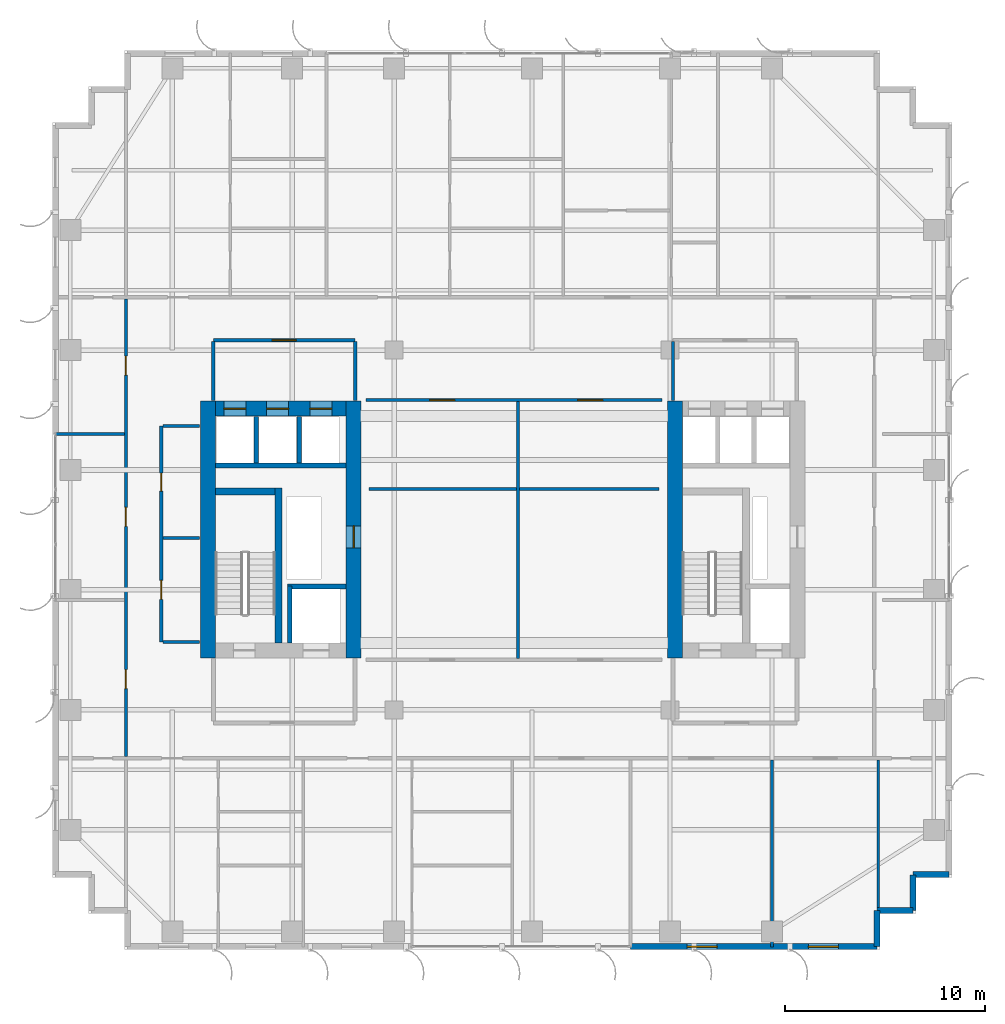
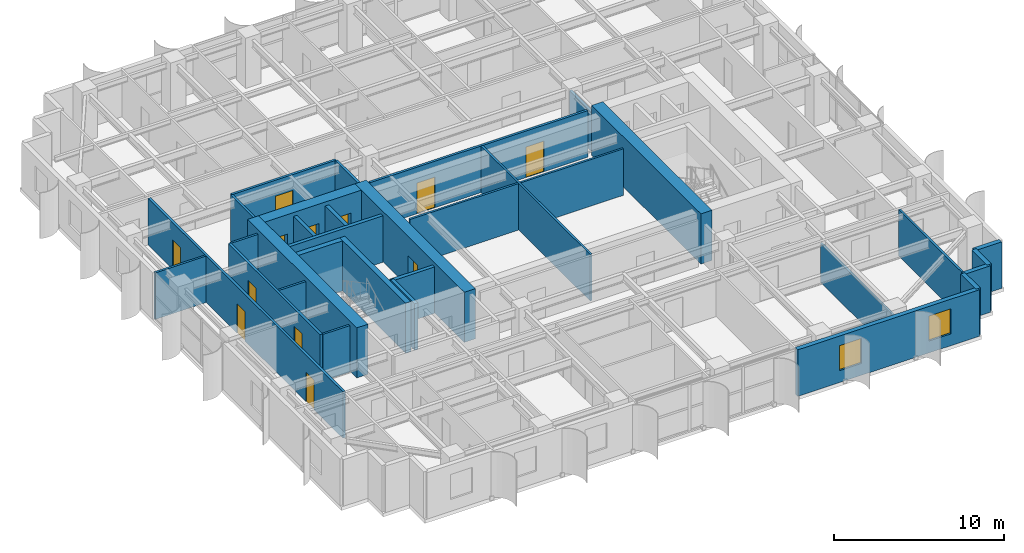
# One storey, part 15 of 21: 31 walls, 12 doors, 2 windows, 14 openings.
"""IFC4 building model written with IfcOpenShell, lengths in metres."""

from ifc_helpers import new_model, si_unit, direction, frame, frame_2d, origin, place, context, subcontext, project, spatial, rectangle, extrude, source, transform, mapped, material, layer, layer_set, type_object, element, fill, save


model = new_model("IFC4")

# Units and contexts
model_context = context("Model", 3, precision=1e-05, world=origin(), true_north=direction((0.0, 1.0)))
body_context = subcontext(model_context, "Body", "Model", "MODEL_VIEW")
ifc_project = project(units=[si_unit("LENGTHUNIT", "METRE"), si_unit("AREAUNIT", "SQUARE_METRE"), si_unit("VOLUMEUNIT", "CUBIC_METRE"), si_unit("PLANEANGLEUNIT", "RADIAN"), si_unit("MASSUNIT", "GRAM", prefix="KILO")], contexts=[model_context])

# Site, building, storey
site_placement = place(None, origin())
site = spatial("IfcSite", under=ifc_project, at=site_placement, CompositionType="ELEMENT")
building_placement = place(site_placement, origin())
building = spatial("IfcBuilding", under=site, at=building_placement, Name="Khoralis Quay Care Tower", CompositionType="ELEMENT")
storey_placement = place(building_placement, frame((0.0, 0.0, 112.5)))
storey = spatial("IfcBuildingStorey", under=building, at=storey_placement, Name="L29", CompositionType="ELEMENT", Elevation=112.5)

# Wall
ifc_material_1 = material(Name="Concrete C80/95", Category="concrete")
ifc_layer_1 = layer(ifc_material_1, 0.75)
ifc_layer_set_1 = layer_set([ifc_layer_1], Name="Concrete C80/95")
wall_type_1 = type_object("IfcWallType", Name="WL-CORE-750", PredefinedType="SHEAR", material=ifc_layer_set_1)
wall_1_placement = place(storey_placement, frame((7.77490234375, 14.60009765625, 0.0), z_axis=(0.0, 0.0, 1.0), x_axis=(0.0, 1.0, 0.0)))
element("IfcWall", 1, at=wall_1_placement, inside=storey, type_object=wall_type_1, Name="L29 WCORE West Shear Wall", PredefinedType="SHEAR", context=body_context, shape_type="SweptSolid", body=[
    extrude(rectangle(XDim=12.849853515625, YDim=0.75, at=frame_2d((6.4248046875, 0.0))), origin(), (0.0, 0.0, 1.0), 3.60009765625),
])

# Wall, opening, door
wall_2_placement = place(storey_placement, frame((15.074951171875, 14.60009765625, 0.0), z_axis=(0.0, 0.0, 1.0), x_axis=(0.0, 1.0, 0.0)))
wall_2 = element("IfcWall", 2, at=wall_2_placement, inside=storey, type_object=wall_type_1, Name="L29 WCORE East Shear Wall", PredefinedType="SHEAR", context=body_context, shape_type="SweptSolid", body=[
    extrude(rectangle(XDim=12.849853515625, YDim=0.75, at=frame_2d((6.4248046875, 0.0))), origin(), (0.0, 0.0, 1.0), 3.60009765625),
])
opening_1_placement = place(wall_2_placement, frame((5.5, 0.0, 0.0)))
opening_1 = element("IfcOpeningElement", 3, at=opening_1_placement, cuts=wall_2, Name="Opening SD1", PredefinedType="OPENING", context=body_context, shape_type="SweptSolid", body=[
    extrude(rectangle(XDim=1.10009765625, YDim=2.199951171875, at=frame_2d((0.550048828125, 1.10009765625))), frame((0.0, 0.385009765625, 0.0), z_axis=(0.0, -1.0, 0.0), x_axis=(1.0, 0.0, 0.0)), (0.0, 0.0, 1.0), 0.77001953125),
])
ifc_material_2 = material(Name="Fire-rated painted steel", Category="steel")
door_type_1 = type_object("IfcDoorType", Name="DR-STAIR-1100X2200", OperationType="NOTDEFINED", PredefinedType="DOOR", material=ifc_material_2)
shared_shape_1 = source(origin(), body_context, "Body", "SweptSolid", [
    extrude(rectangle(XDim=1.10009765625, YDim=2.199951171875, at=frame_2d((0.550048828125, 1.10009765625))), frame((0.0, 0.02490234375, 0.0), z_axis=(0.0, -1.0, 0.0), x_axis=(1.0, 0.0, 0.0)), (0.0, 0.0, 1.0), 0.050048828125),
])
door_1_placement = place(opening_1_placement, origin())
door_1 = element("IfcDoor", 4, at=door_1_placement, inside=storey, type_object=door_type_1, Name="L29 West MEP Riser Door", OperationType="SINGLE_SWING_LEFT", OverallHeight=2.199951171875, OverallWidth=1.10009765625, PredefinedType="DOOR", context=body_context, shape_type="MappedRepresentation", body=[
    mapped(shared_shape_1, transform((0.0, 0.0, 0.0), scale=1.0)),
])
fill(opening_1, door_1)

# Wall, openings, doors
wall_3_placement = place(storey_placement, frame((8.14990234375, 27.074951171875, 0.0), z_axis=(0.0, 0.0, 1.0), x_axis=(1.0, 0.0, 0.0)))
wall_3 = element("IfcWall", 5, at=wall_3_placement, inside=storey, type_object=wall_type_1, Name="L29 WCORE North Shear Wall", PredefinedType="SHEAR", context=body_context, shape_type="SweptSolid", body=[
    extrude(rectangle(XDim=6.550048828125, YDim=0.75, at=frame_2d((3.27490234375, 0.0))), origin(), (0.0, 0.0, 1.0), 3.60009765625),
])
opening_2_placement = place(wall_3_placement, frame((0.429931640625, 0.0, 0.0)))
opening_2 = element("IfcOpeningElement", 6, at=opening_2_placement, cuts=wall_3, Name="Opening LD1", PredefinedType="OPENING", context=body_context, shape_type="SweptSolid", body=[
    extrude(rectangle(XDim=1.10009765625, YDim=2.199951171875, at=frame_2d((0.550048828125, 1.10009765625))), frame((0.0, 0.385009765625, 0.0), z_axis=(0.0, -1.0, 0.0), x_axis=(1.0, 0.0, 0.0)), (0.0, 0.0, 1.0), 0.77001953125),
])
opening_3_placement = place(wall_3_placement, frame((2.570068359375, 0.0, 0.0)))
opening_3 = element("IfcOpeningElement", 7, at=opening_3_placement, cuts=wall_3, Name="Opening LD1", PredefinedType="OPENING", context=body_context, shape_type="SweptSolid", body=[
    extrude(rectangle(XDim=1.10009765625, YDim=2.199951171875, at=frame_2d((0.550048828125, 1.10009765625))), frame((0.0, 0.385009765625, 0.0), z_axis=(0.0, -1.0, 0.0), x_axis=(1.0, 0.0, 0.0)), (0.0, 0.0, 1.0), 0.77001953125),
])
opening_4_placement = place(wall_3_placement, frame((4.72998046875, 0.0, 0.0)))
opening_4 = element("IfcOpeningElement", 8, at=opening_4_placement, cuts=wall_3, Name="Opening LD1", PredefinedType="OPENING", context=body_context, shape_type="SweptSolid", body=[
    extrude(rectangle(XDim=1.10009765625, YDim=2.199951171875, at=frame_2d((0.550048828125, 1.10009765625))), frame((0.0, 0.385009765625, 0.0), z_axis=(0.0, -1.0, 0.0), x_axis=(1.0, 0.0, 0.0)), (0.0, 0.0, 1.0), 0.77001953125),
])
ifc_material_3 = material(Name="Brushed stainless steel", Category="steel")
door_type_2 = type_object("IfcDoorType", Name="DR-LIFT-1100X2200", OperationType="SLIDING_TO_LEFT", PredefinedType="DOOR", material=ifc_material_3)
shared_shape_2 = source(origin(), body_context, "Body", "SweptSolid", [
    extrude(rectangle(XDim=1.10009765625, YDim=2.199951171875, at=frame_2d((0.550048828125, 1.10009765625))), frame((0.0, 0.02490234375, 0.0), z_axis=(0.0, -1.0, 0.0), x_axis=(1.0, 0.0, 0.0)), (0.0, 0.0, 1.0), 0.050048828125),
])
door_2_placement = place(opening_2_placement, origin())
door_2 = element("IfcDoor", 9, at=door_2_placement, inside=storey, type_object=door_type_2, Name="L29 Lift PLL1 Landing Door", OperationType="SLIDING_TO_LEFT", OverallHeight=2.199951171875, OverallWidth=1.10009765625, PredefinedType="DOOR", context=body_context, shape_type="MappedRepresentation", body=[
    mapped(shared_shape_2, transform((0.0, 0.0, 0.0), scale=1.0)),
])
fill(opening_2, door_2)
door_3_placement = place(opening_3_placement, origin())
door_3 = element("IfcDoor", 10, at=door_3_placement, inside=storey, type_object=door_type_2, Name="L29 Lift PLM1 Landing Door", OperationType="SLIDING_TO_LEFT", OverallHeight=2.199951171875, OverallWidth=1.10009765625, PredefinedType="DOOR", context=body_context, shape_type="MappedRepresentation", body=[
    mapped(shared_shape_2, transform((0.0, 0.0, 0.0), scale=1.0)),
])
fill(opening_3, door_3)
door_4_placement = place(opening_4_placement, origin())
door_4 = element("IfcDoor", 11, at=door_4_placement, inside=storey, type_object=door_type_2, Name="L29 Lift PLH1 Landing Door", OperationType="SLIDING_TO_LEFT", OverallHeight=2.199951171875, OverallWidth=1.10009765625, PredefinedType="DOOR", context=body_context, shape_type="MappedRepresentation", body=[
    mapped(shared_shape_2, transform((0.0, 0.0, 0.0), scale=1.0)),
])
fill(opening_4, door_4)

# Wall
wall_4_placement = place(storey_placement, frame((31.14501953125, 14.60009765625, 0.0), z_axis=(0.0, 0.0, 1.0), x_axis=(0.0, 1.0, 0.0)))
element("IfcWall", 12, at=wall_4_placement, inside=storey, type_object=wall_type_1, Name="L29 ECORE West Shear Wall", PredefinedType="SHEAR", context=body_context, shape_type="SweptSolid", body=[
    extrude(rectangle(XDim=12.849853515625, YDim=0.75, at=frame_2d((6.4248046875, 0.0))), origin(), (0.0, 0.0, 1.0), 3.60009765625),
])

# Wall, opening, door
ifc_material_4 = material(Name="Gypsum plasterboard on acoustic metal stud")
ifc_layer_2 = layer(ifc_material_4, 0.1650390625)
ifc_layer_set_2 = layer_set([ifc_layer_2], Name="Gypsum plasterboard on acoustic metal stud")
wall_type_2 = type_object("IfcWallType", Name="WL-CORR-165", PredefinedType="PARTITIONING", material=ifc_layer_set_2)
wall_5_placement = place(storey_placement, frame((8.050048828125, 30.5, 0.0), z_axis=(0.0, 0.0, 1.0), x_axis=(1.0, 0.0, 0.0)))
wall_5 = element("IfcWall", 13, at=wall_5_placement, inside=storey, type_object=wall_type_2, Name="L29 West Lift Lobby North Wall", PredefinedType="PARTITIONING", context=body_context, shape_type="SweptSolid", body=[
    extrude(rectangle(XDim=7.099853515625, YDim=0.1650390625, at=frame_2d((3.5498046875, 0.0))), origin(), (0.0, 0.0, 1.0), 3.340087890625),
])
opening_5_placement = place(wall_5_placement, frame((2.949951171875, 0.0, 0.0)))
opening_5 = element("IfcOpeningElement", 14, at=opening_5_placement, cuts=wall_5, Name="Opening FD1", PredefinedType="OPENING", context=body_context, shape_type="SweptSolid", body=[
    extrude(rectangle(XDim=1.199951171875, YDim=2.199951171875, at=frame_2d((0.60009765625, 1.10009765625))), frame((0.0, 0.092529296875, 0.0), z_axis=(0.0, -1.0, 0.0), x_axis=(1.0, 0.0, 0.0)), (0.0, 0.0, 1.0), 0.18505859375),
])
door_type_3 = type_object("IfcDoorType", Name="DR-FFL-1200X2200", OperationType="NOTDEFINED", PredefinedType="DOOR", material=ifc_material_2)
shared_shape_3 = source(origin(), body_context, "Body", "SweptSolid", [
    extrude(rectangle(XDim=1.199951171875, YDim=2.199951171875, at=frame_2d((0.60009765625, 1.10009765625))), frame((0.0, 0.02490234375, 0.0), z_axis=(0.0, -1.0, 0.0), x_axis=(1.0, 0.0, 0.0)), (0.0, 0.0, 1.0), 0.050048828125),
])
door_5_placement = place(opening_5_placement, origin())
door_5 = element("IfcDoor", 15, at=door_5_placement, inside=storey, type_object=door_type_3, Name="L29 West Lift Lobby Double Door", OperationType="DOUBLE_DOOR_SINGLE_SWING", OverallHeight=2.199951171875, OverallWidth=1.199951171875, PredefinedType="DOOR", context=body_context, shape_type="MappedRepresentation", body=[
    mapped(shared_shape_3, transform((0.0, 0.0, 0.0), scale=1.0)),
])
fill(opening_5, door_5)

# Walls
for number, where, z_axis, x_axis, name in (
    (16, (8.050048828125, 27.469970703125, 0.0), (0.0, 0.0, 1.0), (0.0, 1.0, 0.0), "L29 West Lift Lobby West Wall"),
    (17, (15.14990234375, 27.469970703125, 0.0), (0.0, 0.0, 1.0), (0.0, 1.0, 0.0), "L29 West Lift Lobby East Wall"),
):
    element("IfcWall", number, at=place(storey_placement, frame(where, z_axis=z_axis, x_axis=x_axis)), inside=storey, type_object=wall_type_2, Name=name, PredefinedType="PARTITIONING", context=body_context, shape_type="SweptSolid", body=[
        extrude(rectangle(XDim=2.95263671875, YDim=0.1650390625, at=frame_2d((1.476318359375, 0.0))), origin(), (0.0, 0.0, 1.0), 3.340087890625),
    ])
wall_6_placement = place(storey_placement, frame((31.050048828125, 27.469970703125, 0.0), z_axis=(0.0, 0.0, 1.0), x_axis=(0.0, 1.0, 0.0)))
element("IfcWall", 18, at=wall_6_placement, inside=storey, type_object=wall_type_2, Name="L29 East Lift Lobby West Wall", PredefinedType="PARTITIONING", context=body_context, shape_type="SweptSolid", body=[
    extrude(rectangle(XDim=2.95263671875, YDim=0.1650390625, at=frame_2d((1.476318359375, 0.0))), origin(), (0.0, 0.0, 1.0), 2.7958984375),
])

# Wall, openings, doors
wall_7_placement = place(storey_placement, frame((5.449951171875, 15.39990234375, 0.0), z_axis=(0.0, 0.0, 1.0), x_axis=(0.0, 1.0, 0.0)))
wall_7 = element("IfcWall", 19, at=wall_7_placement, inside=storey, type_object=wall_type_2, Name="L29 West Core Service Flank Wall", PredefinedType="PARTITIONING", context=body_context, shape_type="SweptSolid", body=[
    extrude(rectangle(XDim=10.800048828125, YDim=0.1650390625, at=frame_2d((5.39990234375, 0.0))), origin(), (0.0, 0.0, 1.0), 3.340087890625),
])
opening_6_placement = place(wall_7_placement, frame((2.125, 0.0, 0.0)))
opening_6 = element("IfcOpeningElement", 20, at=opening_6_placement, cuts=wall_7, Name="Opening ID1", PredefinedType="OPENING", context=body_context, shape_type="SweptSolid", body=[
    extrude(rectangle(XDim=0.949951171875, YDim=2.10009765625, at=frame_2d((0.47509765625, 1.050048828125))), frame((0.0, 0.092529296875, 0.0), z_axis=(0.0, -1.0, 0.0), x_axis=(1.0, 0.0, 0.0)), (0.0, 0.0, 1.0), 0.18505859375),
])
opening_7_placement = place(wall_7_placement, frame((7.550048828125, 0.0, 0.0)))
opening_7 = element("IfcOpeningElement", 21, at=opening_7_placement, cuts=wall_7, Name="Opening WD1", PredefinedType="OPENING", context=body_context, shape_type="SweptSolid", body=[
    extrude(rectangle(XDim=0.89990234375, YDim=2.10009765625, at=frame_2d((0.449951171875, 1.050048828125))), frame((0.0, 0.092529296875, 0.0), z_axis=(0.0, -1.0, 0.0), x_axis=(1.0, 0.0, 0.0)), (0.0, 0.0, 1.0), 0.18505859375),
])
ifc_material_5 = material(Name="Acoustic hardwood timber", Category="wood")
door_type_4 = type_object("IfcDoorType", Name="DR-BATH-900X2100", OperationType="NOTDEFINED", PredefinedType="DOOR", material=ifc_material_5)
shared_shape_4 = source(origin(), body_context, "Body", "SweptSolid", [
    extrude(rectangle(XDim=0.89990234375, YDim=2.10009765625, at=frame_2d((0.449951171875, 1.050048828125))), frame((0.0, 0.02490234375, 0.0), z_axis=(0.0, -1.0, 0.0), x_axis=(1.0, 0.0, 0.0)), (0.0, 0.0, 1.0), 0.050048828125),
])
door_6_placement = place(opening_7_placement, frame((0.89990234375, 0.0, 0.0), z_axis=(0.0, 0.0, 1.0), x_axis=(-1.0, 0.0, 0.0)))
door_6 = element("IfcDoor", 22, at=door_6_placement, inside=storey, type_object=door_type_4, Name="L29 Public Accessible WC Door", OperationType="SINGLE_SWING_LEFT", OverallHeight=2.10009765625, OverallWidth=0.89990234375, PredefinedType="DOOR", context=body_context, shape_type="MappedRepresentation", body=[
    mapped(shared_shape_4, transform((0.0, 0.0, 0.0), scale=1.0)),
])
fill(opening_7, door_6)
door_type_5 = type_object("IfcDoorType", Name="DR-ROOM-950X2100", OperationType="NOTDEFINED", PredefinedType="DOOR", material=ifc_material_5)
shared_shape_5 = source(origin(), body_context, "Body", "SweptSolid", [
    extrude(rectangle(XDim=0.949951171875, YDim=2.10009765625, at=frame_2d((0.47509765625, 1.050048828125))), frame((0.0, 0.02490234375, 0.0), z_axis=(0.0, -1.0, 0.0), x_axis=(1.0, 0.0, 0.0)), (0.0, 0.0, 1.0), 0.050048828125),
])
door_7_placement = place(opening_6_placement, frame((0.949951171875, 0.0, 0.0), z_axis=(0.0, 0.0, 1.0), x_axis=(-1.0, 0.0, 0.0)))
door_7 = element("IfcDoor", 23, at=door_7_placement, inside=storey, type_object=door_type_5, Name="L29 Housekeeping Linen Store Door", OperationType="SINGLE_SWING_RIGHT", OverallHeight=2.10009765625, OverallWidth=0.949951171875, PredefinedType="DOOR", context=body_context, shape_type="MappedRepresentation", body=[
    mapped(shared_shape_5, transform((0.0, 0.0, 0.0), scale=1.0)),
])
fill(opening_6, door_7)

wall_8_placement = place(storey_placement, frame((3.679931640625, 9.657470703125, 0.0), z_axis=(0.0, 0.0, 1.0), x_axis=(0.0, 1.0, 0.0)))
wall_8 = element("IfcWall", 24, at=wall_8_placement, inside=storey, type_object=wall_type_2, Name="L29 West Loop Corridor Wall", PredefinedType="PARTITIONING", context=body_context, shape_type="SweptSolid", body=[
    extrude(rectangle(XDim=22.905029296875, YDim=0.1650390625, at=frame_2d((11.45263671875, 0.0))), origin(), (0.0, 0.0, 1.0), 3.340087890625),
])
opening_8_placement = place(wall_8_placement, frame((3.407470703125, 0.0, 0.0)))
opening_8 = element("IfcOpeningElement", 25, at=opening_8_placement, cuts=wall_8, Name="Opening ID1", PredefinedType="OPENING", context=body_context, shape_type="SweptSolid", body=[
    extrude(rectangle(XDim=0.949951171875, YDim=2.10009765625, at=frame_2d((0.47509765625, 1.050048828125))), frame((0.0, 0.092529296875, 0.0), z_axis=(0.0, -1.0, 0.0), x_axis=(1.0, 0.0, 0.0)), (0.0, 0.0, 1.0), 0.18505859375),
])
opening_9_placement = place(wall_8_placement, frame((11.517578125, 0.0, 0.0)))
opening_9 = element("IfcOpeningElement", 26, at=opening_9_placement, cuts=wall_8, Name="Opening ID1", PredefinedType="OPENING", context=body_context, shape_type="SweptSolid", body=[
    extrude(rectangle(XDim=0.949951171875, YDim=2.10009765625, at=frame_2d((0.47509765625, 1.050048828125))), frame((0.0, 0.092529296875, 0.0), z_axis=(0.0, -1.0, 0.0), x_axis=(1.0, 0.0, 0.0)), (0.0, 0.0, 1.0), 0.18505859375),
])
opening_10_placement = place(wall_8_placement, frame((19.08740234375, 0.0, 0.0)))
opening_10 = element("IfcOpeningElement", 27, at=opening_10_placement, cuts=wall_8, Name="Opening ID1", PredefinedType="OPENING", context=body_context, shape_type="SweptSolid", body=[
    extrude(rectangle(XDim=0.949951171875, YDim=2.10009765625, at=frame_2d((0.47509765625, 1.050048828125))), frame((0.0, 0.092529296875, 0.0), z_axis=(0.0, -1.0, 0.0), x_axis=(1.0, 0.0, 0.0)), (0.0, 0.0, 1.0), 0.18505859375),
])
door_8_placement = place(opening_8_placement, origin())
door_8 = element("IfcDoor", 28, at=door_8_placement, inside=storey, type_object=door_type_5, Name="L29 Therapy Consultation Room Door", OperationType="SINGLE_SWING_LEFT", OverallHeight=2.10009765625, OverallWidth=0.949951171875, PredefinedType="DOOR", context=body_context, shape_type="MappedRepresentation", body=[
    mapped(shared_shape_5, transform((0.0, 0.0, 0.0), scale=1.0)),
])
fill(opening_8, door_8)
door_9_placement = place(opening_9_placement, origin())
door_9 = element("IfcDoor", 29, at=door_9_placement, inside=storey, type_object=door_type_5, Name="L29 Assisted Activity Lounge Door", OperationType="SINGLE_SWING_RIGHT", OverallHeight=2.10009765625, OverallWidth=0.949951171875, PredefinedType="DOOR", context=body_context, shape_type="MappedRepresentation", body=[
    mapped(shared_shape_5, transform((0.0, 0.0, 0.0), scale=1.0)),
])
fill(opening_9, door_9)
door_10_placement = place(opening_10_placement, origin())
door_10 = element("IfcDoor", 30, at=door_10_placement, inside=storey, type_object=door_type_5, Name="L29 Nurse Charting Office Door", OperationType="SINGLE_SWING_LEFT", OverallHeight=2.10009765625, OverallWidth=0.949951171875, PredefinedType="DOOR", context=body_context, shape_type="MappedRepresentation", body=[
    mapped(shared_shape_5, transform((0.0, 0.0, 0.0), scale=1.0)),
])
fill(opening_10, door_10)

wall_9_placement = place(storey_placement, frame((15.699951171875, 27.5, 0.0), z_axis=(0.0, 0.0, 1.0), x_axis=(1.0, 0.0, 0.0)))
wall_9 = element("IfcWall", 31, at=wall_9_placement, inside=storey, type_object=wall_type_2, Name="L29 Central Clinical North Wall", PredefinedType="PARTITIONING", context=body_context, shape_type="SweptSolid", body=[
    extrude(rectangle(XDim=14.800048828125, YDim=0.1650390625, at=frame_2d((7.39990234375, 0.0))), origin(), (0.0, 0.0, 1.0), 3.340087890625),
])
opening_11_placement = place(wall_9_placement, frame((3.175048828125, 0.0, 0.0)))
opening_11 = element("IfcOpeningElement", 32, at=opening_11_placement, cuts=wall_9, Name="Opening CD1", PredefinedType="OPENING", context=body_context, shape_type="SweptSolid", body=[
    extrude(rectangle(XDim=1.25, YDim=2.199951171875, at=frame_2d((0.625, 1.10009765625))), frame((0.0, 0.092529296875, 0.0), z_axis=(0.0, -1.0, 0.0), x_axis=(1.0, 0.0, 0.0)), (0.0, 0.0, 1.0), 0.18505859375),
])
opening_12_placement = place(wall_9_placement, frame((10.574951171875, 0.0, 0.0)))
opening_12 = element("IfcOpeningElement", 33, at=opening_12_placement, cuts=wall_9, Name="Opening CD1", PredefinedType="OPENING", context=body_context, shape_type="SweptSolid", body=[
    extrude(rectangle(XDim=1.25, YDim=2.199951171875, at=frame_2d((0.625, 1.10009765625))), frame((0.0, 0.092529296875, 0.0), z_axis=(0.0, -1.0, 0.0), x_axis=(1.0, 0.0, 0.0)), (0.0, 0.0, 1.0), 0.18505859375),
])
door_type_6 = type_object("IfcDoorType", Name="DR-CARE-1250X2200", OperationType="NOTDEFINED", PredefinedType="DOOR", material=ifc_material_5)
shared_shape_6 = source(origin(), body_context, "Body", "SweptSolid", [
    extrude(rectangle(XDim=1.25, YDim=2.199951171875, at=frame_2d((0.625, 1.10009765625))), frame((0.0, 0.02490234375, 0.0), z_axis=(0.0, -1.0, 0.0), x_axis=(1.0, 0.0, 0.0)), (0.0, 0.0, 1.0), 0.050048828125),
])
door_11_placement = place(opening_11_placement, frame((1.25, 0.0, 0.0), z_axis=(0.0, 0.0, 1.0), x_axis=(-1.0, 0.0, 0.0)))
door_11 = element("IfcDoor", 34, at=door_11_placement, inside=storey, type_object=door_type_6, Name="L29 Library Lounge Door", OperationType="SINGLE_SWING_LEFT", OverallHeight=2.199951171875, OverallWidth=1.25, PredefinedType="DOOR", context=body_context, shape_type="MappedRepresentation", body=[
    mapped(shared_shape_6, transform((0.0, 0.0, 0.0), scale=1.0)),
])
fill(opening_11, door_11)
door_12_placement = place(opening_12_placement, frame((1.25, 0.0, 0.0), z_axis=(0.0, 0.0, 1.0), x_axis=(-1.0, 0.0, 0.0)))
door_12 = element("IfcDoor", 35, at=door_12_placement, inside=storey, type_object=door_type_6, Name="L29 Occupational Therapy Door", OperationType="SINGLE_SWING_RIGHT", OverallHeight=2.199951171875, OverallWidth=1.25, PredefinedType="DOOR", context=body_context, shape_type="MappedRepresentation", body=[
    mapped(shared_shape_6, transform((0.0, 0.0, 0.0), scale=1.0)),
])
fill(opening_12, door_12)

# Wall, openings, windows
ifc_material_6 = material(Name="Precast concrete C45/55", Category="concrete")
ifc_layer_3 = layer(ifc_material_6, 0.300048828125)
ifc_layer_set_3 = layer_set([ifc_layer_3], Name="Precast concrete C45/55")
wall_type_3 = type_object("IfcWallType", Name="WL-EXT-REF-300", PredefinedType="SOLIDWALL", material=ifc_layer_set_3)
wall_10_placement = place(storey_placement, frame((28.919921875, 0.14990234375, 0.0), z_axis=(0.0, 0.0, 1.0), x_axis=(1.0, 0.0, 0.0)))
wall_10 = element("IfcWall", 36, at=wall_10_placement, inside=storey, type_object=wall_type_3, Name="L29 External Facade Wall WL-EXT-L29-P1-E0B", PredefinedType="SOLIDWALL", context=body_context, shape_type="SweptSolid", body=[
    extrude(rectangle(XDim=12.330078125, YDim=0.300048828125, at=frame_2d((6.1650390625, 0.0))), origin(), (0.0, 0.0, 1.0), 3.340087890625),
])
opening_13_placement = place(wall_10_placement, frame((2.840087890625, 0.0, 0.85009765625)))
opening_13 = element("IfcOpeningElement", 37, at=opening_13_placement, cuts=wall_10, Name="Opening W3", PredefinedType="OPENING", context=body_context, shape_type="SweptSolid", body=[
    extrude(rectangle(XDim=1.5, YDim=1.800048828125, at=frame_2d((0.75, 0.89990234375))), frame((0.0, 0.16015625, 0.0), z_axis=(0.0, -1.0, 0.0), x_axis=(1.0, 0.0, 0.0)), (0.0, 0.0, 1.0), 0.320068359375),
])
opening_14_placement = place(wall_10_placement, frame((8.905029296875, 0.0, 0.85009765625)))
opening_14 = element("IfcOpeningElement", 38, at=opening_14_placement, cuts=wall_10, Name="Opening W3", PredefinedType="OPENING", context=body_context, shape_type="SweptSolid", body=[
    extrude(rectangle(XDim=1.5, YDim=1.800048828125, at=frame_2d((0.75, 0.89990234375))), frame((0.0, 0.16015625, 0.0), z_axis=(0.0, -1.0, 0.0), x_axis=(1.0, 0.0, 0.0)), (0.0, 0.0, 1.0), 0.320068359375),
])
ifc_material_7 = material(Name="Low-E solar-control double glazing", Category="glass")
window_type = type_object("IfcWindowType", Name="WN-CLIN-1500X1800", PartitioningType="SINGLE_PANEL", PredefinedType="WINDOW", material=ifc_material_7)
shared_shape_7 = source(origin(), body_context, "Body", "SweptSolid", [
    extrude(rectangle(XDim=1.5, YDim=1.800048828125, at=frame_2d((0.75, 0.89990234375))), frame((0.0, 0.030029296875, 0.0), z_axis=(0.0, -1.0, 0.0), x_axis=(1.0, 0.0, 0.0)), (0.0, 0.0, 1.0), 0.06005859375),
])
window_1_placement = place(opening_13_placement, origin())
window_1 = element("IfcWindow", 39, at=window_1_placement, inside=storey, type_object=window_type, Name="WN-L29-P1-E0B Facade Window 01", OverallHeight=1.800048828125, OverallWidth=1.5, PartitioningType="SINGLE_PANEL", PredefinedType="WINDOW", context=body_context, shape_type="MappedRepresentation", body=[
    mapped(shared_shape_7, transform((0.0, 0.0, 0.0), scale=1.0)),
])
fill(opening_13, window_1)
window_2_placement = place(opening_14_placement, origin())
window_2 = element("IfcWindow", 40, at=window_2_placement, inside=storey, type_object=window_type, Name="WN-L29-P1-E0B Facade Window 02", OverallHeight=1.800048828125, OverallWidth=1.5, PartitioningType="SINGLE_PANEL", PredefinedType="WINDOW", context=body_context, shape_type="MappedRepresentation", body=[
    mapped(shared_shape_7, transform((0.0, 0.0, 0.0), scale=1.0)),
])
fill(opening_14, window_2)

# Walls
for number, where, z_axis, x_axis, name in (
    (41, (41.25, 0.14990234375, 0.0), (0.0, 0.0, 1.0), (0.0, 1.0, 0.0), "L29 External Facade Wall WL-EXT-L29-P1-C1"),
    (42, (41.25, 1.949951171875, 0.0), (0.0, 0.0, 1.0), (1.0, 0.0, 0.0), "L29 External Facade Wall WL-EXT-L29-P1-C2"),
    (43, (43.050048828125, 1.949951171875, 0.0), (0.0, 0.0, 1.0), (0.0, 1.0, 0.0), "L29 External Facade Wall WL-EXT-L29-P1-C3"),
    (44, (43.050048828125, 3.75, 0.0), (0.0, 0.0, 1.0), (1.0, 0.0, 0.0), "L29 External Facade Wall WL-EXT-L29-P1-C4"),
):
    element("IfcWall", number, at=place(storey_placement, frame(where, z_axis=z_axis, x_axis=x_axis)), inside=storey, type_object=wall_type_3, Name=name, PredefinedType="SOLIDWALL", context=body_context, shape_type="SweptSolid", body=[
        extrude(rectangle(XDim=1.800048828125, YDim=0.300048828125, at=frame_2d((0.89990234375, 0.0))), origin(), (0.0, 0.0, 1.0), 3.340087890625),
    ])
ifc_material_8 = material(Name="Moisture-resistant gypsum and ceramic tile")
ifc_layer_4 = layer(ifc_material_8, 0.280029296875)
ifc_layer_set_4 = layer_set([ifc_layer_4], Name="Moisture-resistant gypsum and ceramic tile")
wall_type_4 = type_object("IfcWallType", Name="WL-PLUMB-280", PredefinedType="PLUMBINGWALL", material=ifc_layer_set_4)
wall_11_placement = place(storey_placement, frame((5.527587890625, 20.60009765625, 0.0), z_axis=(0.0, 0.0, 1.0), x_axis=(1.0, 0.0, 0.0)))
element("IfcWall", 45, at=wall_11_placement, inside=storey, type_object=wall_type_4, Name="L29 West Flank Divider 1", PredefinedType="PLUMBINGWALL", context=body_context, shape_type="SweptSolid", body=[
    extrude(rectangle(XDim=1.83251953125, YDim=0.139892578125, at=frame_2d((0.916259765625, 0.0))), origin(), (0.0, 0.0, 1.0), 3.340087890625),
])
ifc_material_9 = material(Name="Concrete C40/50", Category="concrete")
ifc_layer_5 = layer(ifc_material_9, 0.35009765625)
ifc_layer_set_5 = layer_set([ifc_layer_5], Name="Concrete C40/50")
wall_type_5 = type_object("IfcWallType", Name="WL-SC-CORE-350", PredefinedType="SHEAR", material=ifc_layer_set_5)
wall_12_placement = place(storey_placement, frame((11.324951171875, 15.35009765625, 0.0), z_axis=(0.0, 0.0, 1.0), x_axis=(0.0, 1.0, 0.0)))
element("IfcWall", 46, at=wall_12_placement, inside=storey, type_object=wall_type_5, Name="L29 Stair ST-T1 Shear Baffle Wall East", PredefinedType="SHEAR", context=body_context, shape_type="SweptSolid", body=[
    extrude(rectangle(XDim=7.75, YDim=0.35009765625, at=frame_2d((3.875, 0.0))), origin(), (0.0, 0.0, 1.0), 3.60009765625),
])
wall_13_placement = place(storey_placement, frame((8.14990234375, 22.925048828125, 0.0), z_axis=(0.0, 0.0, 1.0), x_axis=(1.0, 0.0, 0.0)))
element("IfcWall", 47, at=wall_13_placement, inside=storey, type_object=wall_type_5, Name="L29 Stair ST-T1 Shear Baffle Wall North", PredefinedType="SHEAR", context=body_context, shape_type="SweptSolid", body=[
    extrude(rectangle(XDim=3.0, YDim=0.35009765625, at=frame_2d((1.5, 0.0))), origin(), (0.0, 0.0, 1.0), 3.60009765625),
])
ifc_layer_6 = layer(ifc_material_4, 0.239990234375)
ifc_layer_set_6 = layer_set([ifc_layer_6], Name="Gypsum plasterboard on acoustic metal stud")
wall_type_6 = type_object("IfcWallType", Name="WL-SHAFT-240", PredefinedType="PARTITIONING", material=ifc_layer_set_6)
wall_14_placement = place(storey_placement, frame((11.8798828125, 15.35009765625, 0.0), z_axis=(0.0, 0.0, 1.0), x_axis=(0.0, 1.0, 0.0)))
element("IfcWall", 48, at=wall_14_placement, inside=storey, type_object=wall_type_6, Name="L29 FFL-1 Shaft Wall West", PredefinedType="PARTITIONING", context=body_context, shape_type="SweptSolid", body=[
    extrude(rectangle(XDim=2.849853515625, YDim=0.239990234375, at=frame_2d((1.4248046875, 0.0))), origin(), (0.0, 0.0, 1.0), 3.340087890625),
])
wall_15_placement = place(storey_placement, frame((11.760009765625, 18.169921875, 0.0), z_axis=(0.0, 0.0, 1.0), x_axis=(1.0, 0.0, 0.0)))
element("IfcWall", 49, at=wall_15_placement, inside=storey, type_object=wall_type_6, Name="L29 FFL-1 Shaft Wall North", PredefinedType="PARTITIONING", context=body_context, shape_type="SweptSolid", body=[
    extrude(rectangle(XDim=2.919921875, YDim=0.239990234375, at=frame_2d((1.4599609375, 0.0))), origin(), (0.0, 0.0, 1.0), 3.340087890625),
])
wall_16_placement = place(storey_placement, frame((8.14990234375, 24.22998046875, 0.0), z_axis=(0.0, 0.0, 1.0), x_axis=(1.0, 0.0, 0.0)))
element("IfcWall", 50, at=wall_16_placement, inside=storey, type_object=wall_type_6, Name="L29 West Passenger Shaft South Wall", PredefinedType="PARTITIONING", context=body_context, shape_type="SweptSolid", body=[
    extrude(rectangle(XDim=6.530029296875, YDim=0.239990234375, at=frame_2d((3.26513671875, 0.0))), origin(), (0.0, 0.0, 1.0), 3.340087890625),
])
for number, where, z_axis, x_axis, name in (
    (51, (10.199951171875, 24.344970703125, 0.0), (0.0, 0.0, 1.0), (0.0, 1.0, 0.0), "L29 West Shaft Divider 1"),
    (52, (12.35009765625, 24.344970703125, 0.0), (0.0, 0.0, 1.0), (0.0, 1.0, 0.0), "L29 West Shaft Divider 2"),
):
    element("IfcWall", number, at=place(storey_placement, frame(where, z_axis=z_axis, x_axis=x_axis)), inside=storey, type_object=wall_type_6, Name=name, PredefinedType="PARTITIONING", context=body_context, shape_type="SweptSolid", body=[
        extrude(rectangle(XDim=2.3349609375, YDim=0.239990234375, at=frame_2d((1.16748046875, 0.0))), origin(), (0.0, 0.0, 1.0), 3.340087890625),
    ])
ifc_layer_7 = layer(ifc_material_4, 0.139892578125)
ifc_layer_set_7 = layer_set([ifc_layer_7], Name="Gypsum plasterboard on acoustic metal stud")
wall_type_7 = type_object("IfcWallType", Name="WL-UNIT-140", PredefinedType="PARTITIONING", material=ifc_layer_set_7)
for number, where, z_axis, x_axis, name in (
    (53, (5.527587890625, 15.39990234375, 0.0), (0.0, 0.0, 1.0), (1.0, 0.0, 0.0), "L29 West Flank South Cap"),
    (54, (5.527587890625, 26.199951171875, 0.0), (0.0, 0.0, 1.0), (1.0, 0.0, 0.0), "L29 West Flank North Cap"),
):
    element("IfcWall", number, at=place(storey_placement, frame(where, z_axis=z_axis, x_axis=x_axis)), inside=storey, type_object=wall_type_7, Name=name, PredefinedType="PARTITIONING", context=body_context, shape_type="SweptSolid", body=[
        extrude(rectangle(XDim=1.83251953125, YDim=0.139892578125, at=frame_2d((0.916259765625, 0.0))), origin(), (0.0, 0.0, 1.0), 3.340087890625),
    ])
wall_17_placement = place(storey_placement, frame((0.14501953125, 25.800048828125, 0.0), z_axis=(0.0, 0.0, 1.0), x_axis=(1.0, 0.0, 0.0)))
element("IfcWall", 55, at=wall_17_placement, inside=storey, type_object=wall_type_7, Name="L29 WW Divider 2", PredefinedType="PARTITIONING", context=body_context, shape_type="SweptSolid", body=[
    extrude(rectangle(XDim=3.45751953125, YDim=0.139892578125, at=frame_2d((1.728759765625, 0.0))), origin(), (0.0, 0.0, 1.0), 3.340087890625),
])
wall_18_placement = place(storey_placement, frame((23.300048828125, 14.577392578125, 0.0), z_axis=(0.0, 0.0, 1.0), x_axis=(0.0, 1.0, 0.0)))
element("IfcWall", 56, at=wall_18_placement, inside=storey, type_object=wall_type_7, Name="L29 Central Split V", PredefinedType="PARTITIONING", context=body_context, shape_type="SweptSolid", body=[
    extrude(rectangle(XDim=12.84521484375, YDim=0.139892578125, at=frame_2d((6.422607421875, 0.0))), origin(), (0.0, 0.0, 1.0), 3.340087890625),
])
wall_19_placement = place(storey_placement, frame((15.85009765625, 23.050048828125, 0.0), z_axis=(0.0, 0.0, 1.0), x_axis=(1.0, 0.0, 0.0)))
element("IfcWall", 57, at=wall_19_placement, inside=storey, type_object=wall_type_7, Name="L29 Central Split H", PredefinedType="PARTITIONING", context=body_context, shape_type="SweptSolid", body=[
    extrude(rectangle(XDim=14.5, YDim=0.139892578125, at=frame_2d((7.25, 0.0))), origin(), (0.0, 0.0, 1.0), 3.340087890625),
])
wall_20_placement = place(storey_placement, frame((36.0, 0.14501953125, 0.0), z_axis=(0.0, 0.0, 1.0), x_axis=(0.0, 1.0, 0.0)))
element("IfcWall", 58, at=wall_20_placement, inside=storey, type_object=wall_type_7, Name="L29 SB Demising Wall 4", PredefinedType="PARTITIONING", context=body_context, shape_type="SweptSolid", body=[
    extrude(rectangle(XDim=9.357421875, YDim=0.139892578125, at=frame_2d((4.6787109375, 0.0))), origin(), (0.0, 0.0, 1.0), 2.7958984375),
])
wall_21_placement = place(storey_placement, frame((41.320068359375, 1.945068359375, 0.0), z_axis=(0.0, 0.0, 1.0), x_axis=(0.0, 1.0, 0.0)))
element("IfcWall", 59, at=wall_21_placement, inside=storey, type_object=wall_type_7, Name="L29 SB Demising Wall 5", PredefinedType="PARTITIONING", context=body_context, shape_type="SweptSolid", body=[
    extrude(rectangle(XDim=7.557373046875, YDim=0.139892578125, at=frame_2d((3.77880859375, 0.0))), origin(), (0.0, 0.0, 1.0), 3.340087890625),
])

save(model, "model.ifc")
